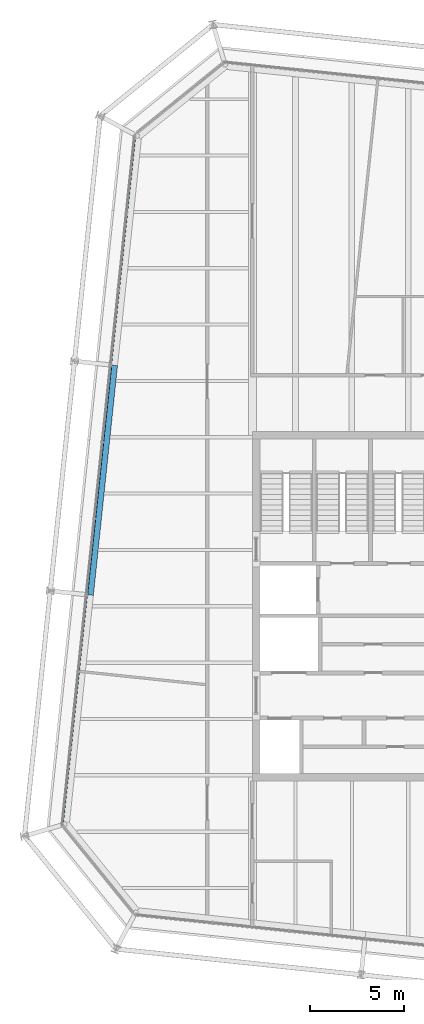
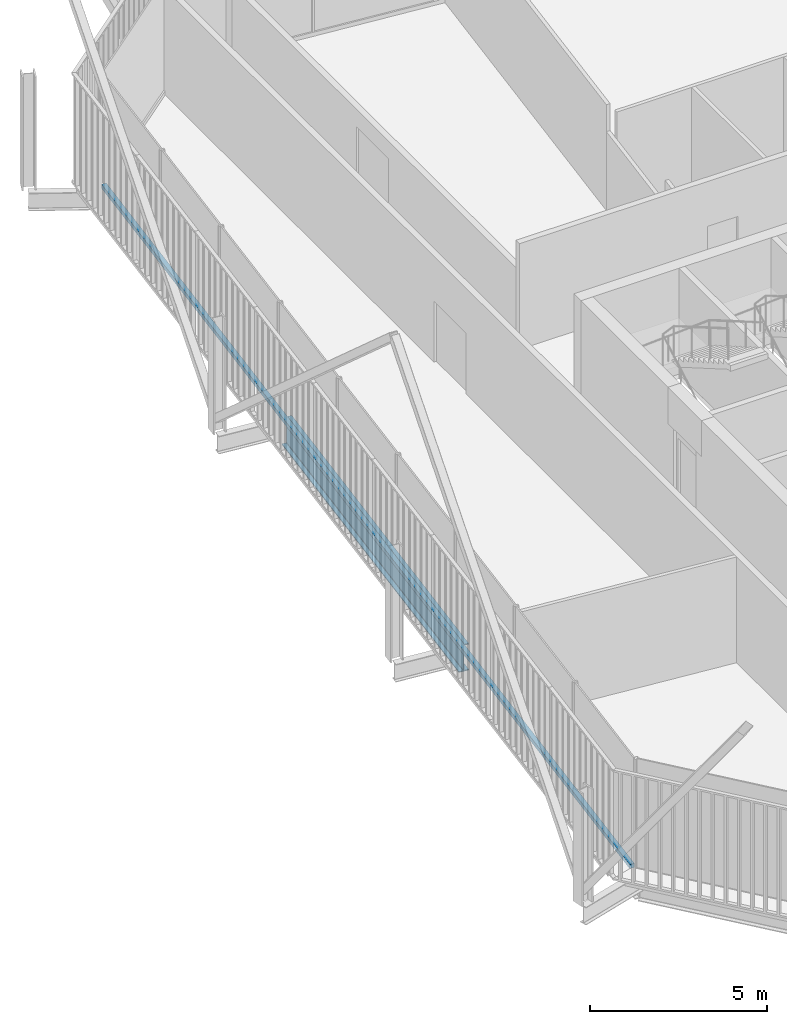
# One storey, part 7 of 21: 1 beam, 1 member, 1 element without a shape of its own.
"""IFC4 building model written with IfcOpenShell, lengths in metres."""

import ifcopenshell
import ifcopenshell.guid

model = None  # the IFC model being written
_history = None  # IfcOwnerHistory: only IFC2X3 demands one
_inside = {}  # id of a spatial element -> (the spatial element, [elements in it])
_under = {}  # id of a project, library or spatial element -> (it, [spatial elements below it])
_declared = {}  # id of a project -> (the project, [libraries it declares])
_typed = {}  # id of a type object -> (the type object, [elements of that type])
_made_of = {}  # id of a material, layer set ... -> (it, [elements and type objects made of it])


def new_model(schema):
    """Start an empty IFC model of exactly this schema.

    Asked for "IFC4X3", IfcOpenShell would pick the latest addendum, in which some entities
    have other attributes; the version numbers below select the first issue.
    IFC2X3 requires an IfcOwnerHistory on every rooted entity: one is made here for all.
    """
    global model, _history
    if schema == "IFC4X3":
        model = ifcopenshell.file(schema_version=(4, 3, 0, 0))
    else:
        model = ifcopenshell.file(schema=schema)
    _inside.clear()
    _under.clear()
    _declared.clear()
    _typed.clear()
    _made_of.clear()
    _history = None
    if model.schema == "IFC2X3":
        org = make("IfcOrganization", Name="unknown")
        user = make(
            "IfcPersonAndOrganization",
            ThePerson=make("IfcPerson", FamilyName="unknown"),
            TheOrganization=org,
        )
        app = make(
            "IfcApplication",
            ApplicationDeveloper=org,
            Version="unknown",
            ApplicationFullName="unknown",
            ApplicationIdentifier="unknown",
        )
        _history = make(
            "IfcOwnerHistory",
            OwningUser=user,
            OwningApplication=app,
            ChangeAction="ADDED",
            CreationDate=0,
        )
    return model


def make(cls, **values):
    """One entity of the class cls with the attributes given. An attribute that is None is left unset."""
    return model.create_entity(
        cls, **{name: value for name, value in values.items() if value is not None}
    )


def rooted(cls, **values):
    """An entity with a GlobalId (a new one), such as an element, a storey or a relation."""
    return make(cls, GlobalId=ifcopenshell.guid.new(), OwnerHistory=_history, **values)


def si_unit(unit_type, name, prefix=None):
    """IfcSIUnit, for example si_unit("LENGTHUNIT", "METRE", prefix="MILLI")."""
    return make("IfcSIUnit", UnitType=unit_type, Prefix=prefix, Name=name)


def assignment(units):
    """IfcUnitAssignment: the units of a project."""
    return None if units is None else make("IfcUnitAssignment", Units=units)


def point(xyz):
    """IfcCartesianPoint."""
    return None if xyz is None else make("IfcCartesianPoint", Coordinates=xyz)


def direction(xyz):
    """IfcDirection."""
    return None if xyz is None else make("IfcDirection", DirectionRatios=xyz)


def frame(location, z_axis=None, x_axis=None):
    """IfcAxis2Placement3D, a coordinate frame: its origin and axes. An axis left out is left unset."""
    return make(
        "IfcAxis2Placement3D",
        Location=point(location),
        Axis=direction(z_axis),
        RefDirection=direction(x_axis),
    )


def frame_2d(location, x_axis=None):
    """IfcAxis2Placement2D, a coordinate frame in the plane: its origin and x axis."""
    return make(
        "IfcAxis2Placement2D", Location=point(location), RefDirection=direction(x_axis)
    )


def origin():
    """The frame at (0, 0, 0) with its axes left unset."""
    return frame((0.0, 0.0, 0.0))


def origin_2d():
    """The frame at (0, 0) in the plane with its x axis left unset."""
    return frame_2d((0.0, 0.0))


def place(relative_to, where):
    """IfcLocalPlacement: puts the frame where relative to a parent placement (None: the world)."""
    return make(
        "IfcLocalPlacement", PlacementRelTo=relative_to, RelativePlacement=where
    )


def context(
    kind, dimensions, precision=None, world=None, true_north=None, identifier=None
):
    """IfcGeometricRepresentationContext, for example the 3D "Model" context."""
    return make(
        "IfcGeometricRepresentationContext",
        ContextIdentifier=identifier,
        ContextType=kind,
        CoordinateSpaceDimension=dimensions,
        Precision=precision,
        WorldCoordinateSystem=world,
        TrueNorth=true_north,
    )


def subcontext(parent, identifier, kind, view, scale=None):
    """IfcGeometricRepresentationSubContext, for example "Body" below "Model"."""
    return make(
        "IfcGeometricRepresentationSubContext",
        ContextIdentifier=identifier,
        ContextType=kind,
        ParentContext=parent,
        TargetScale=scale,
        TargetView=view,
    )


def project(units=None, contexts=None):
    """IfcProject with its units and contexts."""
    return rooted(
        "IfcProject",
        Name="project",
        RepresentationContexts=contexts,
        UnitsInContext=assignment(units),
    )


def spatial(cls, under=None, at=None, **own):
    """A site, building, storey or space (cls), placed at a placement, below another one or the project."""
    s = rooted(cls, ObjectPlacement=at, **own)
    if under is not None:
        _under.setdefault(under.id(), (under, []))[1].append(s)
    return s


def profile(cls, at=None, kind="AREA", **sizes):
    """A parametric profile (cls). Its sizes go by their IFC names, for example OverallWidth=200.0."""
    return make(cls, ProfileType=kind, Position=at, **sizes)


def rectangle(**sizes):
    """IfcRectangleProfileDef."""
    return profile("IfcRectangleProfileDef", **sizes)


def i_section(**sizes):
    """IfcIShapeProfileDef."""
    return profile("IfcIShapeProfileDef", **sizes)


def extrude(swept, where, along, depth):
    """IfcExtrudedAreaSolid: the profile swept, set in the frame where, extruded along a direction by depth."""
    return make(
        "IfcExtrudedAreaSolid",
        SweptArea=swept,
        Position=where,
        ExtrudedDirection=direction(along),
        Depth=depth,
    )


def shape(context_of_items, identifier, shape_type, items):
    """IfcShapeRepresentation: the items that make up one representation, for example the "Body"."""
    return make(
        "IfcShapeRepresentation",
        ContextOfItems=context_of_items,
        RepresentationIdentifier=identifier,
        RepresentationType=shape_type,
        Items=items,
    )


def material(Name=None, Category=None):
    """IfcMaterial."""
    return make("IfcMaterial", Name=Name, Category=Category)


def layer(
    of_material, thickness, ventilated=None, Name=None, Category=None, Priority=None
):
    """IfcMaterialLayer: one layer of a wall or slab, of a material (None: an air gap)."""
    return make(
        "IfcMaterialLayer",
        Material=of_material,
        LayerThickness=thickness,
        IsVentilated=ventilated,
        Name=Name,
        Category=Category,
        Priority=Priority,
    )


def layer_set(layers, Name=None):
    """IfcMaterialLayerSet."""
    return make("IfcMaterialLayerSet", MaterialLayers=layers, LayerSetName=Name)


def material_profile(
    of_material, cross_section, Name=None, Category=None, Priority=None
):
    """IfcMaterialProfile: a cross section and its material."""
    return make(
        "IfcMaterialProfile",
        Name=Name,
        Material=of_material,
        Profile=cross_section,
        Priority=Priority,
        Category=Category,
    )


def profile_set(profiles, Name=None, composite=None):
    """IfcMaterialProfileSet."""
    return make(
        "IfcMaterialProfileSet",
        Name=Name,
        MaterialProfiles=profiles,
        CompositeProfile=composite,
    )


def made_of(thing, what):
    """Note that an element or type object is made of a material, layer set ...; save() writes the relation."""
    if what is not None:
        _made_of.setdefault(what.id(), (what, []))[1].append(thing)
    return thing


def type_object(cls, material=None, **own):
    """A type object (cls), such as IfcWallType, which elements share."""
    return made_of(rooted(cls, **own), material)


def element(
    cls,
    number,
    at=None,
    inside=None,
    cuts=None,
    type_object=None,
    material=None,
    context=None,
    identifier="Body",
    shape_type=None,
    held_by="IfcProductDefinitionShape",
    body=None,
    shapes=None,
    **own,
):
    """One element of the class cls, such as IfcWall. Its Tag is "e" and its number.

    at: its placement. inside: the storey or other place that contains it. cuts: it is an
    opening in that element (IfcRelVoidsElement). A single representation is given by context,
    identifier, shape_type and body (its items); several are given by shapes. held_by: the class
    of the entity that holds the representations. save() writes the other relations.
    """
    e = rooted(cls, Tag="e%d" % number, ObjectPlacement=at, **own)
    if body is not None:
        shapes = [shape(context, identifier, shape_type, body)]
    if shapes is not None:
        e.Representation = make(held_by, Representations=shapes)
    if inside is not None:
        _inside.setdefault(inside.id(), (inside, []))[1].append(e)
    if cuts is not None:
        rooted(
            "IfcRelVoidsElement", RelatingBuildingElement=cuts, RelatedOpeningElement=e
        )
    if type_object is not None:
        _typed.setdefault(type_object.id(), (type_object, []))[1].append(e)
    return made_of(e, material)


def aggregate(whole, parts):
    """IfcRelAggregates: a whole, such as a stair, and the parts it consists of."""
    return rooted("IfcRelAggregates", RelatingObject=whole, RelatedObjects=parts)


def save(model, path):
    """Write the relations noted so far, then the file.

    IfcRelAggregates (storeys below a building ...), IfcRelContainedInSpatialStructure (elements
    in a storey), IfcRelDefinesByType, IfcRelAssociatesMaterial and IfcRelDeclares: one each for
    every whole, place, type object, material and project.
    """
    for whole, parts in _under.values():
        aggregate(whole, parts)
    for where, things in _inside.values():
        rooted(
            "IfcRelContainedInSpatialStructure",
            RelatedElements=things,
            RelatingStructure=where,
        )
    for kind, things in _typed.values():
        rooted("IfcRelDefinesByType", RelatedObjects=things, RelatingType=kind)
    for what, things in _made_of.values():
        rooted("IfcRelAssociatesMaterial", RelatedObjects=things, RelatingMaterial=what)
    for by, libraries in _declared.values():
        rooted("IfcRelDeclares", RelatingContext=by, RelatedDefinitions=libraries)
    model.write(path)


model = new_model("IFC4")

# Units and contexts
model_context = context("Model", 3, precision=1e-05, world=origin(), true_north=direction((0.0, 1.0)))
body_context = subcontext(model_context, "Body", "Model", "MODEL_VIEW")
ifc_project = project(units=[si_unit("LENGTHUNIT", "METRE"), si_unit("AREAUNIT", "SQUARE_METRE"), si_unit("VOLUMEUNIT", "CUBIC_METRE"), si_unit("PLANEANGLEUNIT", "RADIAN"), si_unit("MASSUNIT", "GRAM", prefix="KILO")], contexts=[model_context])

# Site, building, storey
site_placement = place(None, origin())
site = spatial("IfcSite", under=ifc_project, at=site_placement, CompositionType="ELEMENT")
building_placement = place(site_placement, origin())
building = spatial("IfcBuilding", under=site, at=building_placement, Name="Millrace Tower", CompositionType="ELEMENT")
storey_placement = place(building_placement, frame((0.0, 0.0, 307.199951171875)))
storey = spatial("IfcBuildingStorey", under=building, at=storey_placement, Name="L71", CompositionType="ELEMENT", Elevation=307.199951171875)

# Curtain wall, member
ifc_material_1 = material(Name="Aluminium and glass", Category="aluminium")
ifc_layer = layer(ifc_material_1, 0.14990234375)
ifc_layer_set = layer_set([ifc_layer], Name="Aluminium and glass")
curtain_wall_type = type_object("IfcCurtainWallType", Name="CW-1 office vision curtain wall", PredefinedType="NOTDEFINED", material=ifc_layer_set)
curtain_wall_placement = place(storey_placement, origin())
curtain_wall = element("IfcCurtainWall", 1, at=curtain_wall_placement, inside=storey, type_object=curtain_wall_type, Name="Curtain wall E-F08 L71", PredefinedType="NOTDEFINED")
ifc_material_2 = material(Name="Aluminium", Category="aluminium")
ifc_material_profile_1 = material_profile(ifc_material_2, rectangle(XDim=0.14990234375, YDim=0.139892578125, at=origin_2d()))
ifc_profile_set_1 = profile_set([ifc_material_profile_1], Name="Aluminium")
member_type = type_object("IfcMemberType", Name="CW-1 office vision curtain wall transom", PredefinedType="USERDEFINED", material=ifc_profile_set_1)
member_placement = place(storey_placement, frame((-20.581787109375, 24.9853515625, 0.070068359375), z_axis=(-0.104527916025, -0.994521952886, 0.0), x_axis=(0.994521952886, -0.104527916025, 0.0)))
member = element("IfcMember", 2, at=member_placement, type_object=member_type, Name="CW1 transom E-F08.1", ObjectType="TRANSOM", PredefinedType="USERDEFINED", context=body_context, shape_type="SweptSolid", body=[
    extrude(rectangle(XDim=0.14990234375, YDim=0.139892578125, at=origin_2d()), origin(), (0.0, 0.0, 1.0), 36.699951171875),
])
aggregate(curtain_wall, [member])

# Beam
ifc_material_3 = material(Name="Steel ASTM A992 Grade 50", Category="steel")
ifc_material_profile_2 = material_profile(ifc_material_3, i_section(OverallWidth=0.307373046875, OverallDepth=0.927001953125, WebThickness=0.01953125, FlangeThickness=0.031982421875, FilletRadius=0.01904296875, at=origin_2d()))
ifc_profile_set_2 = profile_set([ifc_material_profile_2], Name="Steel ASTM A992 Grade 50")
beam_type = type_object("IfcBeamType", Name="Ring beam medium span W36x194", PredefinedType="SPANDREL", material=ifc_profile_set_2)
beam_placement = place(storey_placement, frame((-22.915283203125, 0.595703125, -0.62353515625), z_axis=(0.104523600289, 0.994522406476, 0.0), x_axis=(-0.994522406476, 0.104523600289, 0.0)))
element("IfcBeam", 3, at=beam_placement, inside=storey, type_object=beam_type, Name="RNG-E-L71-S1-02", PredefinedType="SPANDREL", context=body_context, shape_type="SweptSolid", body=[
    extrude(i_section(OverallWidth=0.307373046875, OverallDepth=0.927001953125, WebThickness=0.01953125, FlangeThickness=0.031982421875, FilletRadius=0.01904296875, at=origin_2d()), origin(), (0.0, 0.0, 1.0), 12.300048828125),
])

save(model, "model.ifc")
